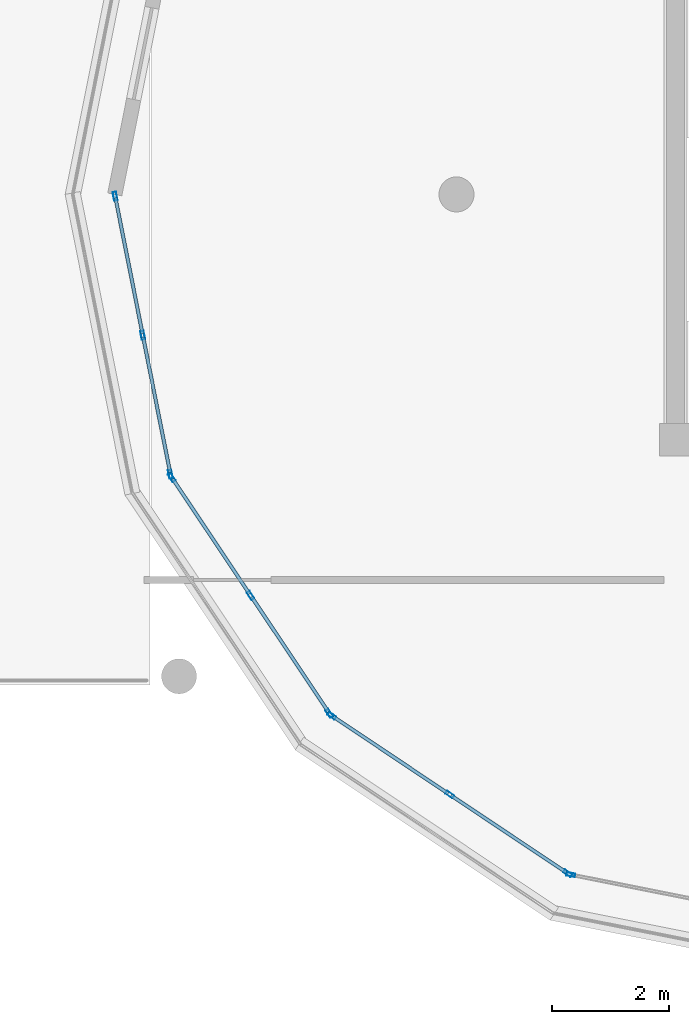
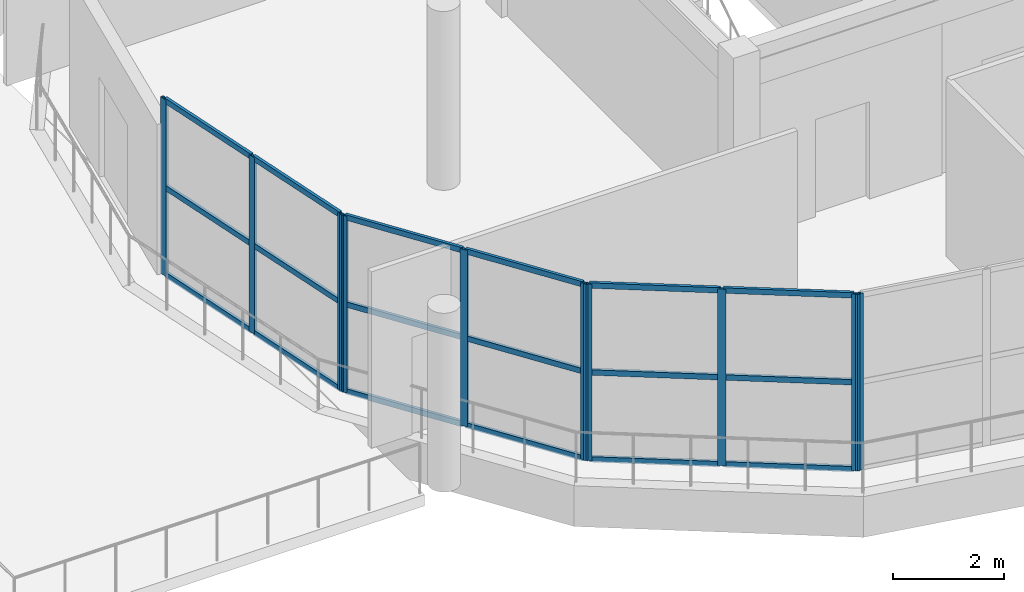
# One storey, part 2 of 44: 28 members, 4 elements without a shape of their own.
"""IFC4 building model written with IfcOpenShell, lengths in metres."""

from ifc_helpers import new_model, si_unit, direction, frame, origin, origin_2d, place, context, subcontext, project, spatial, hollow_rectangle, extrude, material, layer, layer_set, material_profile, profile_set, type_object, element, aggregate, save


model = new_model("IFC4")

# Units and contexts
model_context = context("Model", 3, precision=1e-05, world=origin(), true_north=direction((0.0, 1.0)))
body_context = subcontext(model_context, "Body", "Model", "MODEL_VIEW")
ifc_project = project(units=[si_unit("LENGTHUNIT", "METRE"), si_unit("AREAUNIT", "SQUARE_METRE"), si_unit("VOLUMEUNIT", "CUBIC_METRE"), si_unit("PLANEANGLEUNIT", "RADIAN"), si_unit("MASSUNIT", "GRAM", prefix="KILO")], contexts=[model_context])

# Site, building, storey
site_placement = place(None, origin())
site = spatial("IfcSite", under=ifc_project, at=site_placement, CompositionType="ELEMENT")
building_placement = place(site_placement, origin())
building = spatial("IfcBuilding", under=site, at=building_placement, Name="Zizhar Promenade General Hospital", CompositionType="ELEMENT")
storey_placement = place(building_placement, frame((0.0, 0.0, 34.800048828125)))
storey = spatial("IfcBuildingStorey", under=building, at=storey_placement, Name="L08", CompositionType="ELEMENT", Elevation=34.800048828125)

# Curtain wall, members
ifc_material_1 = material(Name="Anodised aluminium 6063-T6 and low-E glass", Category="aluminium")
ifc_layer = layer(ifc_material_1, 0.159912109375)
ifc_layer_set = layer_set([ifc_layer], Name="Anodised aluminium 6063-T6 and low-E glass")
curtain_wall_type = type_object("IfcCurtainWallType", Name="CW-WARD-ARC", PredefinedType="NOTDEFINED", material=ifc_layer_set)
curtain_wall_1_placement = place(storey_placement, origin())
curtain_wall_1 = element("IfcCurtainWall", 1, at=curtain_wall_1_placement, inside=storey, type_object=curtain_wall_type, Name="Ward Semicircular End Glazing L08-14", PredefinedType="NOTDEFINED")
ifc_material_2 = material(Name="Anodised aluminium 6063-T6", Category="aluminium")
ifc_material_profile_1 = material_profile(ifc_material_2, hollow_rectangle(XDim=0.06005859375, YDim=0.14990234375, WallThickness=0.00390625, at=origin_2d()))
ifc_profile_set_1 = profile_set([ifc_material_profile_1], Name="Anodised aluminium 6063-T6")
member_type_1 = type_object("IfcMemberType", Name="CWM-ALU-150x60", PredefinedType="MULLION", material=ifc_profile_set_1)
member_1_placement = place(storey_placement, frame((38.1533203125, 7.8076171875, 0.0), z_axis=(0.0, 0.0, 1.0), x_axis=(-0.980785889615, -0.195087259275, 0.0)))
member_1 = element("IfcMember", 2, at=member_1_placement, type_object=member_type_1, Name="CW-12 mullion 1", PredefinedType="MULLION", context=body_context, shape_type="SweptSolid", body=[
    extrude(hollow_rectangle(XDim=0.06005859375, YDim=0.14990234375, WallThickness=0.00390625, at=origin_2d()), origin(), (0.0, 0.0, 1.0), 3.89990234375),
])
member_2_placement = place(storey_placement, frame((37.679443359375, 10.189208984375, 0.0), z_axis=(0.0, 0.0, 1.0), x_axis=(-0.980785889615, -0.195087259275, 0.0)))
member_2 = element("IfcMember", 3, at=member_2_placement, type_object=member_type_1, Name="CW-12 mullion 2", PredefinedType="MULLION", context=body_context, shape_type="SweptSolid", body=[
    extrude(hollow_rectangle(XDim=0.06005859375, YDim=0.14990234375, WallThickness=0.00390625, at=origin_2d()), origin(), (0.0, 0.0, 1.0), 3.89990234375),
])
member_3_placement = place(storey_placement, frame((37.205810546875, 12.570556640625, 0.0), z_axis=(0.0, 0.0, 1.0), x_axis=(-0.980785889615, -0.195087259275, 0.0)))
member_3 = element("IfcMember", 4, at=member_3_placement, type_object=member_type_1, Name="CW-12 mullion 3", PredefinedType="MULLION", context=body_context, shape_type="SweptSolid", body=[
    extrude(hollow_rectangle(XDim=0.06005859375, YDim=0.14990234375, WallThickness=0.00390625, at=origin_2d()), origin(), (0.0, 0.0, 1.0), 3.89990234375),
])

curtain_wall_2_placement = place(storey_placement, origin())
curtain_wall_2 = element("IfcCurtainWall", 5, at=curtain_wall_2_placement, inside=storey, type_object=curtain_wall_type, Name="Ward Semicircular End Glazing L08-15", PredefinedType="NOTDEFINED")
member_4_placement = place(storey_placement, frame((40.873779296875, 3.71533203125, 0.0), z_axis=(0.0, 0.0, 1.0), x_axis=(-0.831461514468, -0.555582352095, 0.0)))
member_4 = element("IfcMember", 6, at=member_4_placement, type_object=member_type_1, Name="CW-12 mullion 1", PredefinedType="MULLION", context=body_context, shape_type="SweptSolid", body=[
    extrude(hollow_rectangle(XDim=0.06005859375, YDim=0.14990234375, WallThickness=0.00390625, at=origin_2d()), origin(), (0.0, 0.0, 1.0), 3.89990234375),
])
member_5_placement = place(storey_placement, frame((39.52490234375, 5.734375, 0.0), z_axis=(0.0, 0.0, 1.0), x_axis=(-0.831461514468, -0.555582352095, 0.0)))
member_5 = element("IfcMember", 7, at=member_5_placement, type_object=member_type_1, Name="CW-12 mullion 2", PredefinedType="MULLION", context=body_context, shape_type="SweptSolid", body=[
    extrude(hollow_rectangle(XDim=0.06005859375, YDim=0.14990234375, WallThickness=0.00390625, at=origin_2d()), origin(), (0.0, 0.0, 1.0), 3.89990234375),
])
member_6_placement = place(storey_placement, frame((38.17578125, 7.753173828125, 0.0), z_axis=(0.0, 0.0, 1.0), x_axis=(-0.831461514468, -0.555582352095, 0.0)))
member_6 = element("IfcMember", 8, at=member_6_placement, type_object=member_type_1, Name="CW-12 mullion 3", PredefinedType="MULLION", context=body_context, shape_type="SweptSolid", body=[
    extrude(hollow_rectangle(XDim=0.06005859375, YDim=0.14990234375, WallThickness=0.00390625, at=origin_2d()), origin(), (0.0, 0.0, 1.0), 3.89990234375),
])

curtain_wall_3_placement = place(storey_placement, origin())
curtain_wall_3 = element("IfcCurtainWall", 9, at=curtain_wall_3_placement, inside=storey, type_object=curtain_wall_type, Name="Ward Semicircular End Glazing L08-16", PredefinedType="NOTDEFINED")
member_7_placement = place(storey_placement, frame((44.953369140625, 0.975830078125, 0.0), z_axis=(0.0, 0.0, 1.0), x_axis=(-0.555582352095, -0.831461514468, 0.0)))
member_7 = element("IfcMember", 10, at=member_7_placement, type_object=member_type_1, Name="CW-12 mullion 1", PredefinedType="MULLION", context=body_context, shape_type="SweptSolid", body=[
    extrude(hollow_rectangle(XDim=0.06005859375, YDim=0.14990234375, WallThickness=0.00390625, at=origin_2d()), origin(), (0.0, 0.0, 1.0), 3.89990234375),
])
member_8_placement = place(storey_placement, frame((42.934326171875, 2.32470703125, 0.0), z_axis=(0.0, 0.0, 1.0), x_axis=(-0.555582352095, -0.831461514468, 0.0)))
member_8 = element("IfcMember", 11, at=member_8_placement, type_object=member_type_1, Name="CW-12 mullion 2", PredefinedType="MULLION", context=body_context, shape_type="SweptSolid", body=[
    extrude(hollow_rectangle(XDim=0.06005859375, YDim=0.14990234375, WallThickness=0.00390625, at=origin_2d()), origin(), (0.0, 0.0, 1.0), 3.89990234375),
])
member_9_placement = place(storey_placement, frame((40.91552734375, 3.673828125, 0.0), z_axis=(0.0, 0.0, 1.0), x_axis=(-0.555582352095, -0.831461514468, 0.0)))
member_9 = element("IfcMember", 12, at=member_9_placement, type_object=member_type_1, Name="CW-12 mullion 3", PredefinedType="MULLION", context=body_context, shape_type="SweptSolid", body=[
    extrude(hollow_rectangle(XDim=0.06005859375, YDim=0.14990234375, WallThickness=0.00390625, at=origin_2d()), origin(), (0.0, 0.0, 1.0), 3.89990234375),
])

# Curtain wall, member
curtain_wall_4_placement = place(storey_placement, origin())
curtain_wall_4 = element("IfcCurtainWall", 13, at=curtain_wall_4_placement, inside=storey, type_object=curtain_wall_type, Name="Ward Semicircular End Glazing L08-17", PredefinedType="NOTDEFINED")
member_10_placement = place(storey_placement, frame((45.007568359375, 0.953369140625, 0.0), z_axis=(0.0, 0.0, 1.0), x_axis=(-0.195087259275, -0.980785889615, 0.0)))
member_10 = element("IfcMember", 14, at=member_10_placement, type_object=member_type_1, Name="CW-12 mullion 3", PredefinedType="MULLION", context=body_context, shape_type="SweptSolid", body=[
    extrude(hollow_rectangle(XDim=0.06005859375, YDim=0.14990234375, WallThickness=0.00390625, at=origin_2d()), origin(), (0.0, 0.0, 1.0), 3.89990234375),
])
aggregate(curtain_wall_4, [member_10])

# Member
ifc_material_3 = material(Name="Anodised aluminium 6063-T6", Category="aluminium")
ifc_material_profile_2 = material_profile(ifc_material_3, hollow_rectangle(XDim=0.06005859375, YDim=0.1201171875, WallThickness=0.00390625, at=origin_2d()))
ifc_profile_set_2 = profile_set([ifc_material_profile_2], Name="Anodised aluminium 6063-T6")
member_type_2 = type_object("IfcMemberType", Name="CWT-ALU-120x60", PredefinedType="USERDEFINED", material=ifc_profile_set_2)
member_11_placement = place(storey_placement, frame((38.1474609375, 7.837158203125, 0.030029296875), z_axis=(-0.195164369634, 0.98077054851, 0.0), x_axis=(-0.98077054851, -0.195164369634, 0.0)))
member_11 = element("IfcMember", 15, at=member_11_placement, type_object=member_type_2, Name="CW-12 transom 1.1", ObjectType="TRANSOM", PredefinedType="USERDEFINED", context=body_context, shape_type="SweptSolid", body=[
    extrude(hollow_rectangle(XDim=0.06005859375, YDim=0.1201171875, WallThickness=0.00390625, at=origin_2d()), origin(), (0.0, 0.0, 1.0), 2.3681640625),
])

member_12_placement = place(storey_placement, frame((38.1474609375, 7.837158203125, 1.949951171875), z_axis=(-0.195164369634, 0.98077054851, 0.0), x_axis=(-0.98077054851, -0.195164369634, 0.0)))
member_12 = element("IfcMember", 16, at=member_12_placement, type_object=member_type_2, Name="CW-12 transom 1.2", ObjectType="TRANSOM", PredefinedType="USERDEFINED", context=body_context, shape_type="SweptSolid", body=[
    extrude(hollow_rectangle(XDim=0.06005859375, YDim=0.1201171875, WallThickness=0.00390625, at=origin_2d()), origin(), (0.0, 0.0, 1.0), 2.3681640625),
])

member_13_placement = place(storey_placement, frame((38.1474609375, 7.837158203125, 3.869873046875), z_axis=(-0.195164369634, 0.98077054851, 0.0), x_axis=(-0.98077054851, -0.195164369634, 0.0)))
member_13 = element("IfcMember", 17, at=member_13_placement, type_object=member_type_2, Name="CW-12 transom 1.3", ObjectType="TRANSOM", PredefinedType="USERDEFINED", context=body_context, shape_type="SweptSolid", body=[
    extrude(hollow_rectangle(XDim=0.06005859375, YDim=0.1201171875, WallThickness=0.00390625, at=origin_2d()), origin(), (0.0, 0.0, 1.0), 2.3681640625),
])

member_14_placement = place(storey_placement, frame((37.673583984375, 10.218505859375, 0.030029296875), z_axis=(-0.195045472693, 0.980794200422, 0.0), x_axis=(-0.980794200422, -0.195045472693, 0.0)))
member_14 = element("IfcMember", 18, at=member_14_placement, type_object=member_type_2, Name="CW-12 transom 2.1", ObjectType="TRANSOM", PredefinedType="USERDEFINED", context=body_context, shape_type="SweptSolid", body=[
    extrude(hollow_rectangle(XDim=0.06005859375, YDim=0.1201171875, WallThickness=0.00390625, at=origin_2d()), origin(), (0.0, 0.0, 1.0), 2.3681640625),
])

member_15_placement = place(storey_placement, frame((37.673583984375, 10.218505859375, 1.949951171875), z_axis=(-0.195045472693, 0.980794200422, 0.0), x_axis=(-0.980794200422, -0.195045472693, 0.0)))
member_15 = element("IfcMember", 19, at=member_15_placement, type_object=member_type_2, Name="CW-12 transom 2.2", ObjectType="TRANSOM", PredefinedType="USERDEFINED", context=body_context, shape_type="SweptSolid", body=[
    extrude(hollow_rectangle(XDim=0.06005859375, YDim=0.1201171875, WallThickness=0.00390625, at=origin_2d()), origin(), (0.0, 0.0, 1.0), 2.3681640625),
])

member_16_placement = place(storey_placement, frame((37.673583984375, 10.218505859375, 3.869873046875), z_axis=(-0.195045472693, 0.980794200422, 0.0), x_axis=(-0.980794200422, -0.195045472693, 0.0)))
member_16 = element("IfcMember", 20, at=member_16_placement, type_object=member_type_2, Name="CW-12 transom 2.3", ObjectType="TRANSOM", PredefinedType="USERDEFINED", context=body_context, shape_type="SweptSolid", body=[
    extrude(hollow_rectangle(XDim=0.06005859375, YDim=0.1201171875, WallThickness=0.00390625, at=origin_2d()), origin(), (0.0, 0.0, 1.0), 2.3681640625),
])

aggregate(curtain_wall_1, [member_1, member_2, member_3, member_11, member_12, member_13, member_14, member_15, member_16])

member_17_placement = place(storey_placement, frame((40.857177734375, 3.740478515625, 0.030029296875), z_axis=(-0.555580160396, 0.831462978956, 0.0), x_axis=(-0.831462978956, -0.555580160396, 0.0)))
member_17 = element("IfcMember", 21, at=member_17_placement, type_object=member_type_2, Name="CW-12 transom 1.1", ObjectType="TRANSOM", PredefinedType="USERDEFINED", context=body_context, shape_type="SweptSolid", body=[
    extrude(hollow_rectangle(XDim=0.06005859375, YDim=0.1201171875, WallThickness=0.00390625, at=origin_2d()), origin(), (0.0, 0.0, 1.0), 2.3681640625),
])

member_18_placement = place(storey_placement, frame((40.857177734375, 3.740478515625, 1.949951171875), z_axis=(-0.555580160396, 0.831462978956, 0.0), x_axis=(-0.831462978956, -0.555580160396, 0.0)))
member_18 = element("IfcMember", 22, at=member_18_placement, type_object=member_type_2, Name="CW-12 transom 1.2", ObjectType="TRANSOM", PredefinedType="USERDEFINED", context=body_context, shape_type="SweptSolid", body=[
    extrude(hollow_rectangle(XDim=0.06005859375, YDim=0.1201171875, WallThickness=0.00390625, at=origin_2d()), origin(), (0.0, 0.0, 1.0), 2.3681640625),
])

member_19_placement = place(storey_placement, frame((40.857177734375, 3.740478515625, 3.869873046875), z_axis=(-0.555580160396, 0.831462978956, 0.0), x_axis=(-0.831462978956, -0.555580160396, 0.0)))
member_19 = element("IfcMember", 23, at=member_19_placement, type_object=member_type_2, Name="CW-12 transom 1.3", ObjectType="TRANSOM", PredefinedType="USERDEFINED", context=body_context, shape_type="SweptSolid", body=[
    extrude(hollow_rectangle(XDim=0.06005859375, YDim=0.1201171875, WallThickness=0.00390625, at=origin_2d()), origin(), (0.0, 0.0, 1.0), 2.3681640625),
])

member_20_placement = place(storey_placement, frame((39.508056640625, 5.75927734375, 0.030029296875), z_axis=(-0.555580160396, 0.831462978956, 0.0), x_axis=(-0.831462978956, -0.555580160396, 0.0)))
member_20 = element("IfcMember", 24, at=member_20_placement, type_object=member_type_2, Name="CW-12 transom 2.1", ObjectType="TRANSOM", PredefinedType="USERDEFINED", context=body_context, shape_type="SweptSolid", body=[
    extrude(hollow_rectangle(XDim=0.06005859375, YDim=0.1201171875, WallThickness=0.00390625, at=origin_2d()), origin(), (0.0, 0.0, 1.0), 2.3681640625),
])

member_21_placement = place(storey_placement, frame((39.508056640625, 5.75927734375, 1.949951171875), z_axis=(-0.555580160396, 0.831462978956, 0.0), x_axis=(-0.831462978956, -0.555580160396, 0.0)))
member_21 = element("IfcMember", 25, at=member_21_placement, type_object=member_type_2, Name="CW-12 transom 2.2", ObjectType="TRANSOM", PredefinedType="USERDEFINED", context=body_context, shape_type="SweptSolid", body=[
    extrude(hollow_rectangle(XDim=0.06005859375, YDim=0.1201171875, WallThickness=0.00390625, at=origin_2d()), origin(), (0.0, 0.0, 1.0), 2.3681640625),
])

member_22_placement = place(storey_placement, frame((39.508056640625, 5.75927734375, 3.869873046875), z_axis=(-0.555580160396, 0.831462978956, 0.0), x_axis=(-0.831462978956, -0.555580160396, 0.0)))
member_22 = element("IfcMember", 26, at=member_22_placement, type_object=member_type_2, Name="CW-12 transom 2.3", ObjectType="TRANSOM", PredefinedType="USERDEFINED", context=body_context, shape_type="SweptSolid", body=[
    extrude(hollow_rectangle(XDim=0.06005859375, YDim=0.1201171875, WallThickness=0.00390625, at=origin_2d()), origin(), (0.0, 0.0, 1.0), 2.3681640625),
])

aggregate(curtain_wall_2, [member_4, member_5, member_6, member_17, member_18, member_19, member_20, member_21, member_22])

member_23_placement = place(storey_placement, frame((44.92822265625, 0.992431640625, 0.030029296875), z_axis=(-0.831462978956, 0.555580160396, 0.0), x_axis=(-0.555580160396, -0.831462978956, 0.0)))
member_23 = element("IfcMember", 27, at=member_23_placement, type_object=member_type_2, Name="CW-12 transom 1.1", ObjectType="TRANSOM", PredefinedType="USERDEFINED", context=body_context, shape_type="SweptSolid", body=[
    extrude(hollow_rectangle(XDim=0.06005859375, YDim=0.1201171875, WallThickness=0.00390625, at=origin_2d()), origin(), (0.0, 0.0, 1.0), 2.3681640625),
])

member_24_placement = place(storey_placement, frame((44.92822265625, 0.992431640625, 1.949951171875), z_axis=(-0.831462978956, 0.555580160396, 0.0), x_axis=(-0.555580160396, -0.831462978956, 0.0)))
member_24 = element("IfcMember", 28, at=member_24_placement, type_object=member_type_2, Name="CW-12 transom 1.2", ObjectType="TRANSOM", PredefinedType="USERDEFINED", context=body_context, shape_type="SweptSolid", body=[
    extrude(hollow_rectangle(XDim=0.06005859375, YDim=0.1201171875, WallThickness=0.00390625, at=origin_2d()), origin(), (0.0, 0.0, 1.0), 2.3681640625),
])

member_25_placement = place(storey_placement, frame((44.92822265625, 0.992431640625, 3.869873046875), z_axis=(-0.831462978956, 0.555580160396, 0.0), x_axis=(-0.555580160396, -0.831462978956, 0.0)))
member_25 = element("IfcMember", 29, at=member_25_placement, type_object=member_type_2, Name="CW-12 transom 1.3", ObjectType="TRANSOM", PredefinedType="USERDEFINED", context=body_context, shape_type="SweptSolid", body=[
    extrude(hollow_rectangle(XDim=0.06005859375, YDim=0.1201171875, WallThickness=0.00390625, at=origin_2d()), origin(), (0.0, 0.0, 1.0), 2.3681640625),
])

member_26_placement = place(storey_placement, frame((42.909423828125, 2.341552734375, 0.030029296875), z_axis=(-0.831462978956, 0.555580160396, 0.0), x_axis=(-0.555580160396, -0.831462978956, 0.0)))
member_26 = element("IfcMember", 30, at=member_26_placement, type_object=member_type_2, Name="CW-12 transom 2.1", ObjectType="TRANSOM", PredefinedType="USERDEFINED", context=body_context, shape_type="SweptSolid", body=[
    extrude(hollow_rectangle(XDim=0.06005859375, YDim=0.1201171875, WallThickness=0.00390625, at=origin_2d()), origin(), (0.0, 0.0, 1.0), 2.3681640625),
])

member_27_placement = place(storey_placement, frame((42.909423828125, 2.341552734375, 1.949951171875), z_axis=(-0.831462978956, 0.555580160396, 0.0), x_axis=(-0.555580160396, -0.831462978956, 0.0)))
member_27 = element("IfcMember", 31, at=member_27_placement, type_object=member_type_2, Name="CW-12 transom 2.2", ObjectType="TRANSOM", PredefinedType="USERDEFINED", context=body_context, shape_type="SweptSolid", body=[
    extrude(hollow_rectangle(XDim=0.06005859375, YDim=0.1201171875, WallThickness=0.00390625, at=origin_2d()), origin(), (0.0, 0.0, 1.0), 2.3681640625),
])

member_28_placement = place(storey_placement, frame((42.909423828125, 2.341552734375, 3.869873046875), z_axis=(-0.831462978956, 0.555580160396, 0.0), x_axis=(-0.555580160396, -0.831462978956, 0.0)))
member_28 = element("IfcMember", 32, at=member_28_placement, type_object=member_type_2, Name="CW-12 transom 2.3", ObjectType="TRANSOM", PredefinedType="USERDEFINED", context=body_context, shape_type="SweptSolid", body=[
    extrude(hollow_rectangle(XDim=0.06005859375, YDim=0.1201171875, WallThickness=0.00390625, at=origin_2d()), origin(), (0.0, 0.0, 1.0), 2.3681640625),
])

aggregate(curtain_wall_3, [member_7, member_8, member_9, member_23, member_24, member_25, member_26, member_27, member_28])

save(model, "model.ifc")
